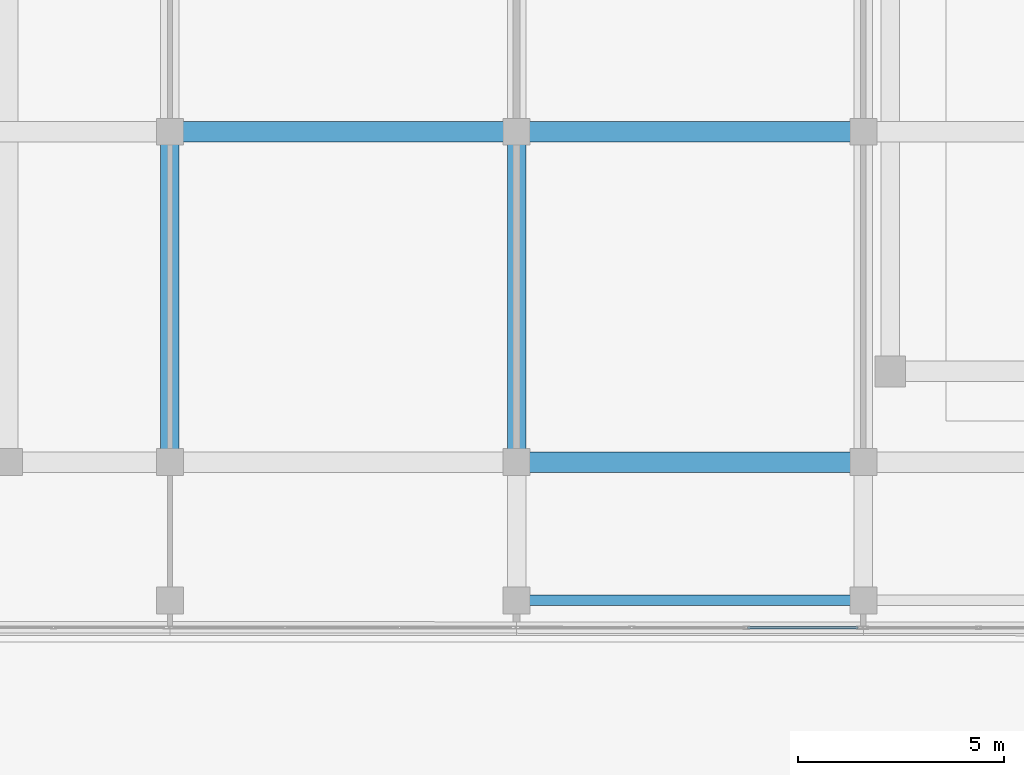
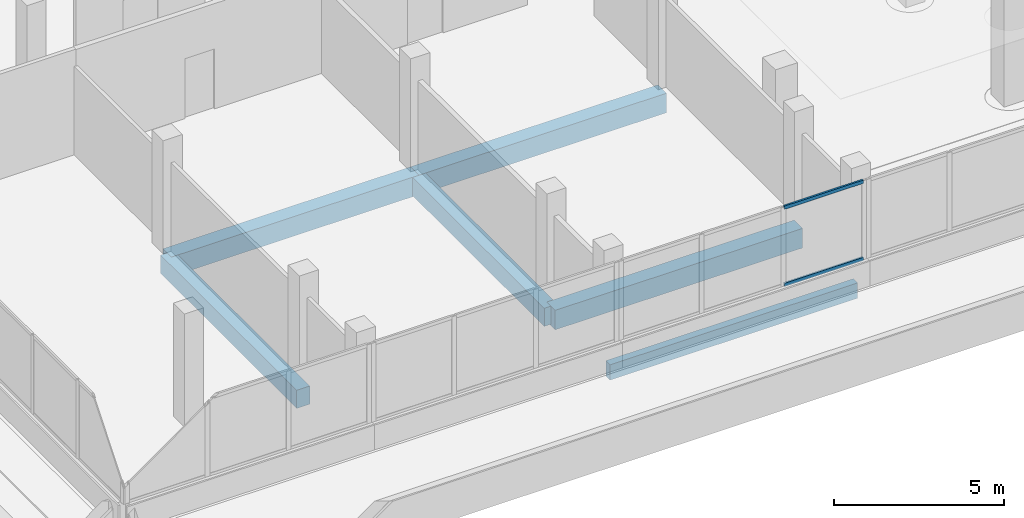
# One storey, part 5 of 78: 6 beams, 2 members, 1 element without a shape of its own.
"""IFC4 building model written with IfcOpenShell, lengths in metres."""

import ifcopenshell
import ifcopenshell.guid

model = None  # the IFC model being written
_history = None  # IfcOwnerHistory: only IFC2X3 demands one
_inside = {}  # id of a spatial element -> (the spatial element, [elements in it])
_under = {}  # id of a project, library or spatial element -> (it, [spatial elements below it])
_declared = {}  # id of a project -> (the project, [libraries it declares])
_typed = {}  # id of a type object -> (the type object, [elements of that type])
_made_of = {}  # id of a material, layer set ... -> (it, [elements and type objects made of it])


def new_model(schema):
    """Start an empty IFC model of exactly this schema.

    Asked for "IFC4X3", IfcOpenShell would pick the latest addendum, in which some entities
    have other attributes; the version numbers below select the first issue.
    IFC2X3 requires an IfcOwnerHistory on every rooted entity: one is made here for all.
    """
    global model, _history
    if schema == "IFC4X3":
        model = ifcopenshell.file(schema_version=(4, 3, 0, 0))
    else:
        model = ifcopenshell.file(schema=schema)
    _inside.clear()
    _under.clear()
    _declared.clear()
    _typed.clear()
    _made_of.clear()
    _history = None
    if model.schema == "IFC2X3":
        org = make("IfcOrganization", Name="unknown")
        user = make(
            "IfcPersonAndOrganization",
            ThePerson=make("IfcPerson", FamilyName="unknown"),
            TheOrganization=org,
        )
        app = make(
            "IfcApplication",
            ApplicationDeveloper=org,
            Version="unknown",
            ApplicationFullName="unknown",
            ApplicationIdentifier="unknown",
        )
        _history = make(
            "IfcOwnerHistory",
            OwningUser=user,
            OwningApplication=app,
            ChangeAction="ADDED",
            CreationDate=0,
        )
    return model


def make(cls, **values):
    """One entity of the class cls with the attributes given. An attribute that is None is left unset."""
    return model.create_entity(
        cls, **{name: value for name, value in values.items() if value is not None}
    )


def rooted(cls, **values):
    """An entity with a GlobalId (a new one), such as an element, a storey or a relation."""
    return make(cls, GlobalId=ifcopenshell.guid.new(), OwnerHistory=_history, **values)


def si_unit(unit_type, name, prefix=None):
    """IfcSIUnit, for example si_unit("LENGTHUNIT", "METRE", prefix="MILLI")."""
    return make("IfcSIUnit", UnitType=unit_type, Prefix=prefix, Name=name)


def assignment(units):
    """IfcUnitAssignment: the units of a project."""
    return None if units is None else make("IfcUnitAssignment", Units=units)


def point(xyz):
    """IfcCartesianPoint."""
    return None if xyz is None else make("IfcCartesianPoint", Coordinates=xyz)


def direction(xyz):
    """IfcDirection."""
    return None if xyz is None else make("IfcDirection", DirectionRatios=xyz)


def frame(location, z_axis=None, x_axis=None):
    """IfcAxis2Placement3D, a coordinate frame: its origin and axes. An axis left out is left unset."""
    return make(
        "IfcAxis2Placement3D",
        Location=point(location),
        Axis=direction(z_axis),
        RefDirection=direction(x_axis),
    )


def frame_2d(location, x_axis=None):
    """IfcAxis2Placement2D, a coordinate frame in the plane: its origin and x axis."""
    return make(
        "IfcAxis2Placement2D", Location=point(location), RefDirection=direction(x_axis)
    )


def origin():
    """The frame at (0, 0, 0) with its axes left unset."""
    return frame((0.0, 0.0, 0.0))


def origin_2d():
    """The frame at (0, 0) in the plane with its x axis left unset."""
    return frame_2d((0.0, 0.0))


def place(relative_to, where):
    """IfcLocalPlacement: puts the frame where relative to a parent placement (None: the world)."""
    return make(
        "IfcLocalPlacement", PlacementRelTo=relative_to, RelativePlacement=where
    )


def context(
    kind, dimensions, precision=None, world=None, true_north=None, identifier=None
):
    """IfcGeometricRepresentationContext, for example the 3D "Model" context."""
    return make(
        "IfcGeometricRepresentationContext",
        ContextIdentifier=identifier,
        ContextType=kind,
        CoordinateSpaceDimension=dimensions,
        Precision=precision,
        WorldCoordinateSystem=world,
        TrueNorth=true_north,
    )


def subcontext(parent, identifier, kind, view, scale=None):
    """IfcGeometricRepresentationSubContext, for example "Body" below "Model"."""
    return make(
        "IfcGeometricRepresentationSubContext",
        ContextIdentifier=identifier,
        ContextType=kind,
        ParentContext=parent,
        TargetScale=scale,
        TargetView=view,
    )


def project(units=None, contexts=None):
    """IfcProject with its units and contexts."""
    return rooted(
        "IfcProject",
        Name="project",
        RepresentationContexts=contexts,
        UnitsInContext=assignment(units),
    )


def spatial(cls, under=None, at=None, **own):
    """A site, building, storey or space (cls), placed at a placement, below another one or the project."""
    s = rooted(cls, ObjectPlacement=at, **own)
    if under is not None:
        _under.setdefault(under.id(), (under, []))[1].append(s)
    return s


def profile(cls, at=None, kind="AREA", **sizes):
    """A parametric profile (cls). Its sizes go by their IFC names, for example OverallWidth=200.0."""
    return make(cls, ProfileType=kind, Position=at, **sizes)


def rectangle(**sizes):
    """IfcRectangleProfileDef."""
    return profile("IfcRectangleProfileDef", **sizes)


def hollow_rectangle(**sizes):
    """IfcRectangleHollowProfileDef."""
    return profile("IfcRectangleHollowProfileDef", **sizes)


def extrude(swept, where, along, depth):
    """IfcExtrudedAreaSolid: the profile swept, set in the frame where, extruded along a direction by depth."""
    return make(
        "IfcExtrudedAreaSolid",
        SweptArea=swept,
        Position=where,
        ExtrudedDirection=direction(along),
        Depth=depth,
    )


def shape(context_of_items, identifier, shape_type, items):
    """IfcShapeRepresentation: the items that make up one representation, for example the "Body"."""
    return make(
        "IfcShapeRepresentation",
        ContextOfItems=context_of_items,
        RepresentationIdentifier=identifier,
        RepresentationType=shape_type,
        Items=items,
    )


def material(Name=None, Category=None):
    """IfcMaterial."""
    return make("IfcMaterial", Name=Name, Category=Category)


def material_profile(
    of_material, cross_section, Name=None, Category=None, Priority=None
):
    """IfcMaterialProfile: a cross section and its material."""
    return make(
        "IfcMaterialProfile",
        Name=Name,
        Material=of_material,
        Profile=cross_section,
        Priority=Priority,
        Category=Category,
    )


def profile_set(profiles, Name=None, composite=None):
    """IfcMaterialProfileSet."""
    return make(
        "IfcMaterialProfileSet",
        Name=Name,
        MaterialProfiles=profiles,
        CompositeProfile=composite,
    )


def made_of(thing, what):
    """Note that an element or type object is made of a material, layer set ...; save() writes the relation."""
    if what is not None:
        _made_of.setdefault(what.id(), (what, []))[1].append(thing)
    return thing


def type_object(cls, material=None, **own):
    """A type object (cls), such as IfcWallType, which elements share."""
    return made_of(rooted(cls, **own), material)


def element(
    cls,
    number,
    at=None,
    inside=None,
    cuts=None,
    type_object=None,
    material=None,
    context=None,
    identifier="Body",
    shape_type=None,
    held_by="IfcProductDefinitionShape",
    body=None,
    shapes=None,
    **own,
):
    """One element of the class cls, such as IfcWall. Its Tag is "e" and its number.

    at: its placement. inside: the storey or other place that contains it. cuts: it is an
    opening in that element (IfcRelVoidsElement). A single representation is given by context,
    identifier, shape_type and body (its items); several are given by shapes. held_by: the class
    of the entity that holds the representations. save() writes the other relations.
    """
    e = rooted(cls, Tag="e%d" % number, ObjectPlacement=at, **own)
    if body is not None:
        shapes = [shape(context, identifier, shape_type, body)]
    if shapes is not None:
        e.Representation = make(held_by, Representations=shapes)
    if inside is not None:
        _inside.setdefault(inside.id(), (inside, []))[1].append(e)
    if cuts is not None:
        rooted(
            "IfcRelVoidsElement", RelatingBuildingElement=cuts, RelatedOpeningElement=e
        )
    if type_object is not None:
        _typed.setdefault(type_object.id(), (type_object, []))[1].append(e)
    return made_of(e, material)


def aggregate(whole, parts):
    """IfcRelAggregates: a whole, such as a stair, and the parts it consists of."""
    return rooted("IfcRelAggregates", RelatingObject=whole, RelatedObjects=parts)


def save(model, path):
    """Write the relations noted so far, then the file.

    IfcRelAggregates (storeys below a building ...), IfcRelContainedInSpatialStructure (elements
    in a storey), IfcRelDefinesByType, IfcRelAssociatesMaterial and IfcRelDeclares: one each for
    every whole, place, type object, material and project.
    """
    for whole, parts in _under.values():
        aggregate(whole, parts)
    for where, things in _inside.values():
        rooted(
            "IfcRelContainedInSpatialStructure",
            RelatedElements=things,
            RelatingStructure=where,
        )
    for kind, things in _typed.values():
        rooted("IfcRelDefinesByType", RelatedObjects=things, RelatingType=kind)
    for what, things in _made_of.values():
        rooted("IfcRelAssociatesMaterial", RelatedObjects=things, RelatingMaterial=what)
    for by, libraries in _declared.values():
        rooted("IfcRelDeclares", RelatingContext=by, RelatedDefinitions=libraries)
    model.write(path)


model = new_model("IFC4")

# Units and contexts
model_context = context("Model", 3, precision=1e-05, world=origin(), true_north=direction((0.0, 1.0)))
body_context = subcontext(model_context, "Body", "Model", "MODEL_VIEW")
ifc_project = project(units=[si_unit("LENGTHUNIT", "METRE"), si_unit("AREAUNIT", "SQUARE_METRE"), si_unit("VOLUMEUNIT", "CUBIC_METRE"), si_unit("PLANEANGLEUNIT", "RADIAN"), si_unit("MASSUNIT", "GRAM", prefix="KILO")], contexts=[model_context])

# Site, building, storey
site_placement = place(None, origin())
site = spatial("IfcSite", under=ifc_project, at=site_placement, CompositionType="ELEMENT")
building_placement = place(site_placement, origin())
building = spatial("IfcBuilding", under=site, at=building_placement, Name="Selatvlak General Hospital", CompositionType="ELEMENT")
storey_placement = place(building_placement, frame((0.0, 0.0, 23.25)))
storey = spatial("IfcBuildingStorey", under=building, at=storey_placement, Name="L05", CompositionType="ELEMENT", Elevation=23.25)

# Beams
ifc_material_1 = material(Name="Concrete C40/50", Category="concrete")
ifc_material_profile_1 = material_profile(ifc_material_1, rectangle(XDim=0.5, YDim=0.699951171875, at=origin_2d()), Name="RC-BM 500x700")
ifc_profile_set_1 = profile_set([ifc_material_profile_1], Name="Concrete C40/50")
beam_type_1 = type_object("IfcBeamType", Name="BM-G03", PredefinedType="BEAM", material=ifc_profile_set_1)
beam_1_placement = place(storey_placement, frame((39.60009765625, 92.0, -0.6298828125), z_axis=(1.0, 0.0, 0.0), x_axis=(0.0, 1.0, 0.0)))
element("IfcBeam", 1, at=beam_1_placement, inside=storey, type_object=beam_type_1, Name="Beam BMR-L05-1904", PredefinedType="BEAM", context=body_context, shape_type="SweptSolid", body=[
    extrude(rectangle(XDim=0.5, YDim=0.699951171875, at=origin_2d()), origin(), (0.0, 0.0, 1.0), 8.39990234375),
])
beam_2_placement = place(storey_placement, frame((31.199951171875, 100.0, -0.6298828125), z_axis=(1.0, 0.0, 0.0), x_axis=(0.0, 1.0, 0.0)))
element("IfcBeam", 2, at=beam_2_placement, inside=storey, type_object=beam_type_1, Name="Beam BMR-L05-1926", PredefinedType="BEAM", context=body_context, shape_type="SweptSolid", body=[
    extrude(rectangle(XDim=0.5, YDim=0.699951171875, at=origin_2d()), origin(), (0.0, 0.0, 1.0), 8.400146484375),
])
beam_3_placement = place(storey_placement, frame((39.60009765625, 100.0, -0.6298828125), z_axis=(1.0, 0.0, 0.0), x_axis=(0.0, 1.0, 0.0)))
element("IfcBeam", 3, at=beam_3_placement, inside=storey, type_object=beam_type_1, Name="Beam BMR-L05-1927", PredefinedType="BEAM", context=body_context, shape_type="SweptSolid", body=[
    extrude(rectangle(XDim=0.5, YDim=0.699951171875, at=origin_2d()), origin(), (0.0, 0.0, 1.0), 8.39990234375),
])
ifc_material_profile_2 = material_profile(ifc_material_1, rectangle(XDim=0.449951171875, YDim=0.64990234375, at=origin_2d()), Name="RC-BM 450x650")
ifc_profile_set_2 = profile_set([ifc_material_profile_2], Name="Concrete C40/50")
beam_type_2 = type_object("IfcBeamType", Name="BM-G04", PredefinedType="BEAM", material=ifc_profile_set_2)
for number, where, z_axis, x_axis, name in (
    (4, (31.199951171875, 92.0, -0.60498046875), (0.0, 1.0, 0.0), (-1.0, 0.0, 0.0), "Beam BMR-L05-1990"),
    (5, (39.60009765625, 92.0, -0.60498046875), (0.0, 1.0, 0.0), (-1.0, 0.0, 0.0), "Beam BMR-L05-1995"),
):
    element("IfcBeam", number, at=place(storey_placement, frame(where, z_axis=z_axis, x_axis=x_axis)), inside=storey, type_object=beam_type_2, Name=name, PredefinedType="BEAM", context=body_context, shape_type="SweptSolid", body=[
        extrude(rectangle(XDim=0.449951171875, YDim=0.64990234375, at=origin_2d()), origin(), (0.0, 0.0, 1.0), 8.0),
    ])
ifc_material_profile_3 = material_profile(ifc_material_1, rectangle(XDim=0.25, YDim=0.550048828125, at=origin_2d()), Name="RC-SP 250x550")
ifc_profile_set_3 = profile_set([ifc_material_profile_3], Name="Concrete C40/50")
beam_type_3 = type_object("IfcBeamType", Name="BM-SP2", PredefinedType="SPANDREL", material=ifc_profile_set_3)
beam_4_placement = place(storey_placement, frame((39.60009765625, 88.64990234375, -0.554931640625), z_axis=(1.0, 0.0, 0.0), x_axis=(0.0, 1.0, 0.0)))
element("IfcBeam", 6, at=beam_4_placement, inside=storey, type_object=beam_type_3, Name="Beam BMR-L05-1884", PredefinedType="SPANDREL", context=body_context, shape_type="SweptSolid", body=[
    extrude(rectangle(XDim=0.25, YDim=0.550048828125, at=origin_2d()), origin(), (0.0, 0.0, 1.0), 8.39990234375),
])

# Curtain wall, members
ifc_material_2 = material(Name="Solar-control Low-E double glazing", Category="glass")
curtain_wall_type = type_object("IfcCurtainWallType", Name="CW-CW-01", PredefinedType="USERDEFINED", material=ifc_material_2)
curtain_wall_placement = place(storey_placement, origin())
curtain_wall = element("IfcCurtainWall", 7, at=curtain_wall_placement, inside=storey, type_object=curtain_wall_type, Name="Glazed facade curtain wall CW-L05-0591", ObjectType="UNITISED CURTAIN WALL", PredefinedType="USERDEFINED")
ifc_material_3 = material(Name="Dark anodised aluminium mullion", Category="aluminium")
ifc_material_profile_4 = material_profile(ifc_material_3, hollow_rectangle(XDim=0.06494140625, YDim=0.1201171875, WallThickness=0.00390625, at=origin_2d()), Name="AL-TRN 65x120x4")
ifc_profile_set_4 = profile_set([ifc_material_profile_4], Name="Dark anodised aluminium mullion")
member_type = type_object("IfcMemberType", Name="CWT-01", PredefinedType="USERDEFINED", material=ifc_profile_set_4)
member_1_placement = place(storey_placement, frame((47.8701171875, 87.988037109375, 0.972412109375), z_axis=(-0.999999895958, 0.000456162711, 0.0), x_axis=(-0.000456162711, -0.999999895958, 0.0)))
member_1 = element("IfcMember", 8, at=member_1_placement, type_object=member_type, Name="CW-01 transom 1.1", ObjectType="TRANSOM", PredefinedType="USERDEFINED", context=body_context, shape_type="SweptSolid", body=[
    extrude(hollow_rectangle(XDim=0.06494140625, YDim=0.1201171875, WallThickness=0.00390625, at=origin_2d()), origin(), (0.0, 0.0, 1.0), 2.676025390625),
])
member_2_placement = place(storey_placement, frame((47.8701171875, 87.988037109375, 3.742431640625), z_axis=(-0.999999895958, 0.000456162711, 0.0), x_axis=(-0.000456162711, -0.999999895958, 0.0)))
member_2 = element("IfcMember", 9, at=member_2_placement, type_object=member_type, Name="CW-01 transom 1.2", ObjectType="TRANSOM", PredefinedType="USERDEFINED", context=body_context, shape_type="SweptSolid", body=[
    extrude(hollow_rectangle(XDim=0.06494140625, YDim=0.1201171875, WallThickness=0.00390625, at=origin_2d()), origin(), (0.0, 0.0, 1.0), 2.676025390625),
])
aggregate(curtain_wall, [member_1, member_2])

save(model, "model.ifc")
